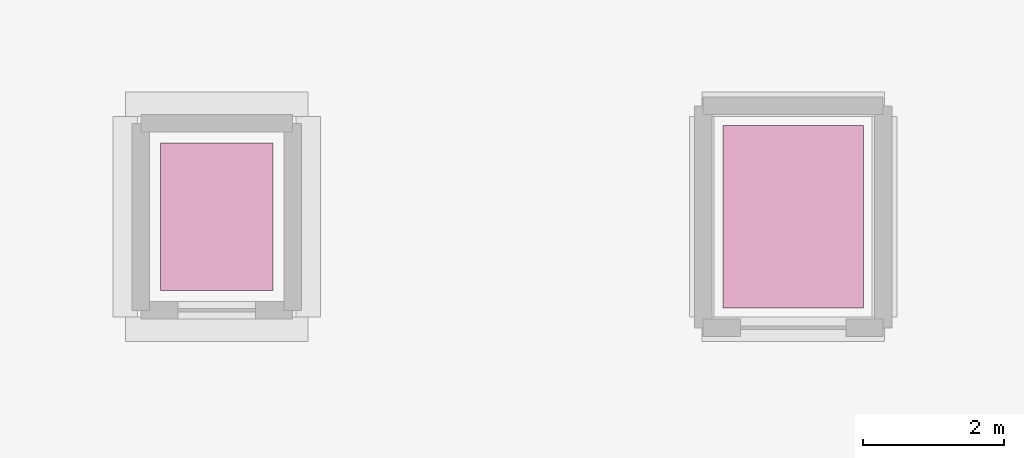
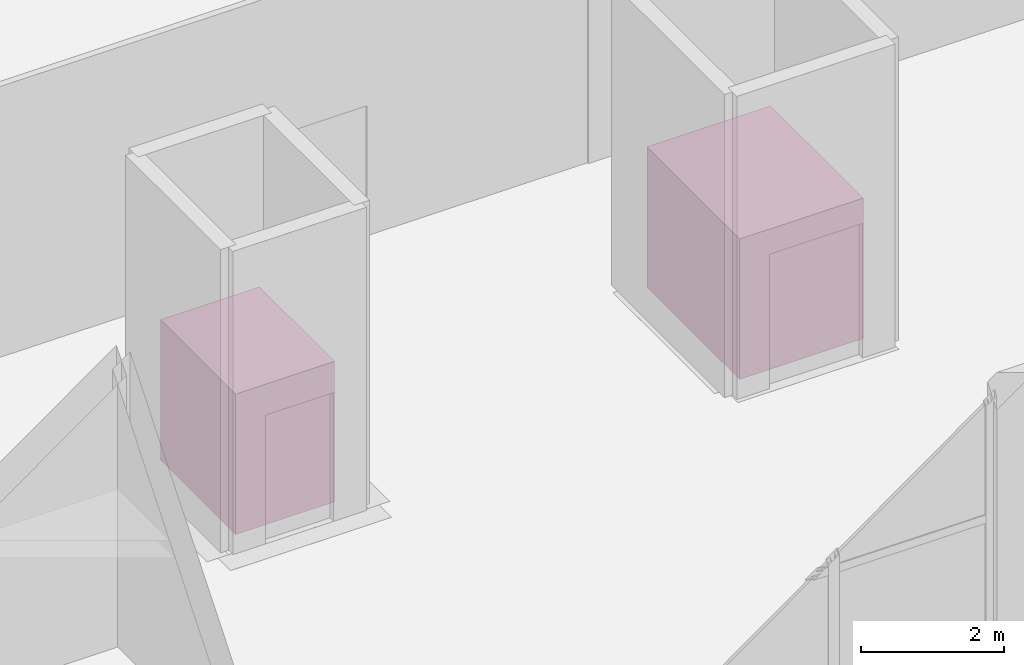
# One storey, part 87 of 87: 2 transport elements.
"""IFC4 building model written with IfcOpenShell, lengths in metres."""

from ifc_helpers import new_model, si_unit, direction, frame, origin, origin_2d, place, context, subcontext, project, spatial, rectangle, extrude, material, type_object, element, save


model = new_model("IFC4")

# Units and contexts
model_context = context("Model", 3, precision=1e-05, world=origin(), true_north=direction((0.0, 1.0)))
body_context = subcontext(model_context, "Body", "Model", "MODEL_VIEW")
ifc_project = project(units=[si_unit("LENGTHUNIT", "METRE"), si_unit("AREAUNIT", "SQUARE_METRE"), si_unit("VOLUMEUNIT", "CUBIC_METRE"), si_unit("PLANEANGLEUNIT", "RADIAN"), si_unit("MASSUNIT", "GRAM", prefix="KILO")], contexts=[model_context])

# Site, building, storey
site_placement = place(None, origin())
site = spatial("IfcSite", under=ifc_project, at=site_placement, CompositionType="ELEMENT")
building_placement = place(site_placement, origin())
building = spatial("IfcBuilding", under=site, at=building_placement, Name="Kimbaza Rail Terminus", CompositionType="ELEMENT")
storey_placement = place(building_placement, origin())
storey = spatial("IfcBuildingStorey", under=building, at=storey_placement, Name="L00", CompositionType="ELEMENT", Elevation=0.0)

# Transport elements
ifc_material_1 = material(Name="Stainless steel elevator cab assembly", Category="steel")
transport_element_type_1 = type_object("IfcTransportElementType", Name="ARC-LFT-GD2500", PredefinedType="ELEVATOR", material=ifc_material_1)
transport_element_1_placement = place(storey_placement, frame((196.60009765625, 21.800048828125, 0.0), z_axis=(0.0, 0.0, 1.0), x_axis=(1.0, 0.0, 0.0)))
element("IfcTransportElement", 1, at=transport_element_1_placement, inside=storey, type_object=transport_element_type_1, Name="Catering Goods Lift LG-02", PredefinedType="ELEVATOR", context=body_context, shape_type="SweptSolid", body=[
    extrude(rectangle(XDim=2.0, YDim=2.60009765625, at=origin_2d()), origin(), (0.0, 0.0, 1.0), 2.39990234375),
])
ifc_material_2 = material(Name="Stainless steel elevator cab assembly", Category="steel")
transport_element_type_2 = type_object("IfcTransportElementType", Name="ARC-LFT-P1275", PredefinedType="ELEVATOR", material=ifc_material_2)
transport_element_2_placement = place(storey_placement, frame((188.39990234375, 21.800048828125, 0.0), z_axis=(0.0, 0.0, 1.0), x_axis=(1.0, 0.0, 0.0)))
element("IfcTransportElement", 2, at=transport_element_2_placement, inside=storey, type_object=transport_element_type_2, Name="Retail Pavilion Lift LP-07", PredefinedType="ELEVATOR", context=body_context, shape_type="SweptSolid", body=[
    extrude(rectangle(XDim=1.60009765625, YDim=2.10009765625, at=origin_2d()), origin(), (0.0, 0.0, 1.0), 2.39990234375),
])

save(model, "model.ifc")
